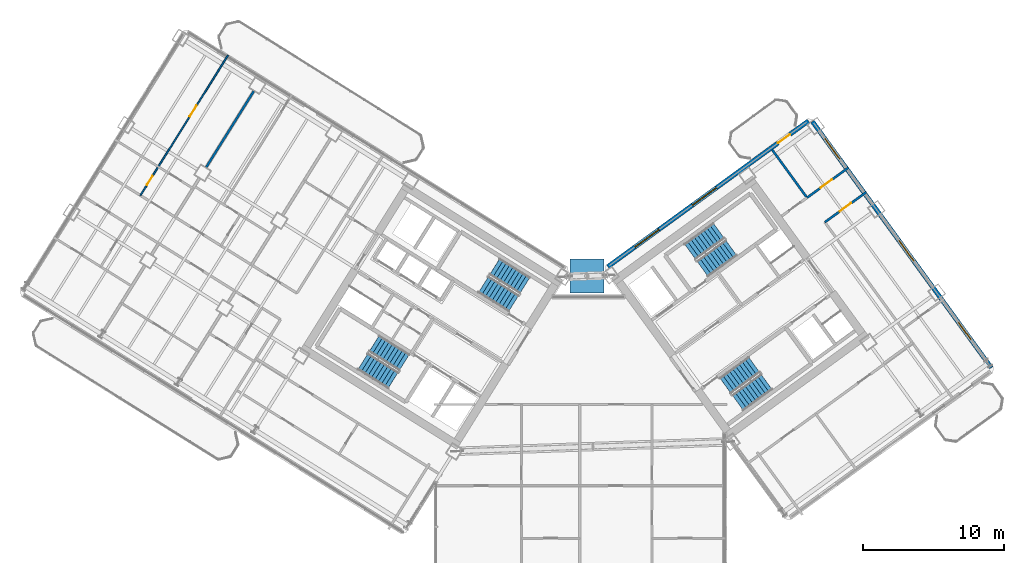
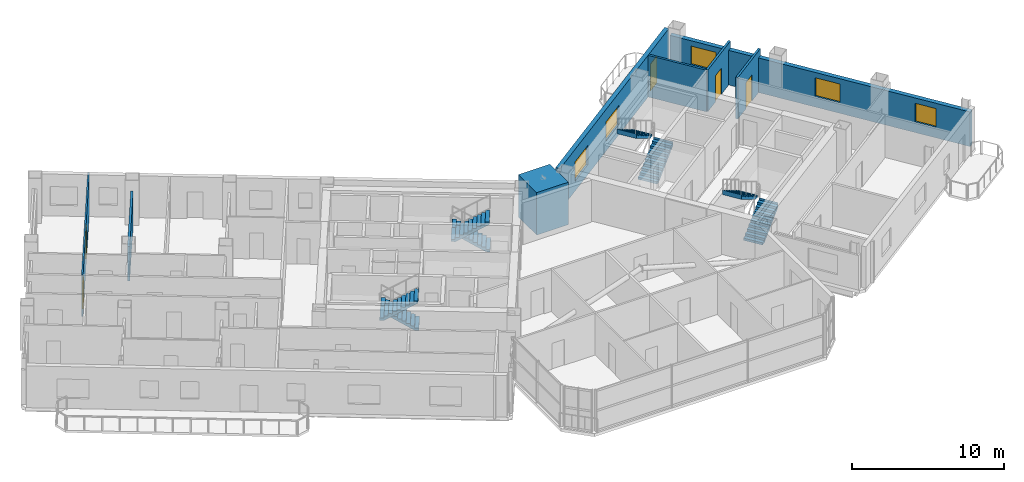
# One storey, part 21 of 29: 8 stair flights, 7 walls, 5 doors, 5 windows, 1 discrete accessory, 10 openings, 4 elements without a shape of their own.
"""IFC4 building model written with IfcOpenShell, lengths in metres."""

from ifc_helpers import new_model, si_unit, direction, frame, frame_2d, origin, origin_2d, place, context, subcontext, project, spatial, polyline, rectangle, outline, extrude, source, transform, mapped, material, layer, layer_set, type_object, element, fill, aggregate, save


model = new_model("IFC4")

# Units and contexts
model_context = context("Model", 3, precision=1e-05, world=origin(), true_north=direction((0.0, 1.0)))
body_context = subcontext(model_context, "Body", "Model", "MODEL_VIEW")
ifc_project = project(units=[si_unit("LENGTHUNIT", "METRE"), si_unit("AREAUNIT", "SQUARE_METRE"), si_unit("VOLUMEUNIT", "CUBIC_METRE"), si_unit("PLANEANGLEUNIT", "RADIAN"), si_unit("MASSUNIT", "GRAM", prefix="KILO")], contexts=[model_context])

# Site, building, storey
site_placement = place(None, origin())
site = spatial("IfcSite", under=ifc_project, at=site_placement, CompositionType="ELEMENT")
building_placement = place(site_placement, origin())
building = spatial("IfcBuilding", under=site, at=building_placement, Name="Tlacorven Tower", CompositionType="ELEMENT")
storey_placement = place(building_placement, frame((0.0, 0.0, 151.5)))
storey = spatial("IfcBuildingStorey", under=building, at=storey_placement, Name="L38", CompositionType="ELEMENT", Elevation=151.5)

# Walls
ifc_material_1 = material(Name="Gypsum plasterboard acoustic partition", Category="gypsum")
ifc_layer_1 = layer(ifc_material_1, 0.159912109375)
ifc_layer_set_1 = layer_set([ifc_layer_1], Name="Gypsum plasterboard acoustic partition")
wall_type_1 = type_object("IfcWallType", Name="WL-DEM-160", PredefinedType="PARTITIONING", material=ifc_layer_set_1)
wall_1_placement = place(storey_placement, frame((18.828125, 37.642578125, 0.0), z_axis=(0.0, 0.0, 1.0), x_axis=(-0.529930102756, -0.848041323399, 0.0)))
element("IfcWall", 1, at=wall_1_placement, inside=storey, type_object=wall_type_1, Name="L38 WS Demising Wall 2", PredefinedType="PARTITIONING", context=body_context, shape_type="SweptSolid", body=[
    extrude(rectangle(XDim=6.376220703125, YDim=0.159912109375, at=frame_2d((3.18798828125, 0.0))), origin(), (0.0, 0.0, 1.0), 2.77490234375),
])
wall_2_placement = place(storey_placement, frame((58.06689453125, 30.080078125, 0.0), z_axis=(0.0, 0.0, 1.0), x_axis=(-0.587812175236, 0.808997433027, 0.0)))
element("IfcWall", 2, at=wall_2_placement, inside=storey, type_object=wall_type_1, Name="L38 partition 89", PredefinedType="PARTITIONING", context=body_context, shape_type="SweptSolid", body=[
    extrude(rectangle(XDim=4.199951171875, YDim=0.159912109375, at=frame_2d((2.10009765625, 0.0))), origin(), (0.0, 0.0, 1.0), 3.340087890625),
])

# Wall, opening, door
wall_3_placement = place(storey_placement, frame((59.33056640625, 28.340576171875, 0.0), z_axis=(0.0, 0.0, 1.0), x_axis=(0.809003564202, 0.587803736896, 0.0)))
wall_3 = element("IfcWall", 3, at=wall_3_placement, inside=storey, type_object=wall_type_1, Name="L38 partition 91", PredefinedType="PARTITIONING", context=body_context, shape_type="SweptSolid", body=[
    extrude(rectangle(XDim=3.630126953125, YDim=0.159912109375, at=frame_2d((1.81494140625, 0.0))), origin(), (0.0, 0.0, 1.0), 3.340087890625),
])
opening_1_placement = place(wall_3_placement, frame((1.304931640625, 0.0, 0.0)))
opening_1 = element("IfcOpeningElement", 4, at=opening_1_placement, cuts=wall_3, Name="Opening D11", PredefinedType="OPENING", context=body_context, shape_type="SweptSolid", body=[
    extrude(rectangle(XDim=1.0, YDim=2.10009765625, at=frame_2d((0.5, 1.050048828125))), frame((0.0, 0.08984375, 0.0), z_axis=(0.0, -1.0, 0.0), x_axis=(1.0, 0.0, 0.0)), (0.0, 0.0, 1.0), 0.179931640625),
])
ifc_material_2 = material(Name="Fire-rated steel door assembly", Category="steel")
door_type_1 = type_object("IfcDoorType", Name="DR-FLT-FD60-1000", OperationType="NOTDEFINED", PredefinedType="DOOR", material=ifc_material_2)
shared_shape_1 = source(origin(), body_context, "Body", "SweptSolid", [
    extrude(rectangle(XDim=1.0, YDim=2.10009765625, at=frame_2d((0.5, 1.050048828125))), frame((0.0, 0.02490234375, 0.0), z_axis=(0.0, -1.0, 0.0), x_axis=(1.0, 0.0, 0.0)), (0.0, 0.0, 1.0), 0.050048828125),
])
door_1_placement = place(opening_1_placement, origin())
door_1 = element("IfcDoor", 5, at=door_1_placement, inside=storey, type_object=door_type_1, Name="L38 door 061", OperationType="SINGLE_SWING_RIGHT", OverallHeight=2.10009765625, OverallWidth=1.0, PredefinedType="DOOR", context=body_context, shape_type="MappedRepresentation", body=[
    mapped(shared_shape_1, transform((0.0, 0.0, 0.0), scale=1.0)),
])
fill(opening_1, door_1)

wall_4_placement = place(storey_placement, frame((58.06689453125, 30.080078125, 0.0), z_axis=(0.0, 0.0, 1.0), x_axis=(0.809012309495, 0.587791700422, 0.0)))
wall_4 = element("IfcWall", 6, at=wall_4_placement, inside=storey, type_object=wall_type_1, Name="L38 partition 92", PredefinedType="PARTITIONING", context=body_context, shape_type="SweptSolid", body=[
    extrude(rectangle(XDim=3.6298828125, YDim=0.159912109375, at=frame_2d((1.81494140625, 0.0))), origin(), (0.0, 0.0, 1.0), 3.340087890625),
])
opening_2_placement = place(wall_4_placement, frame((1.199951171875, 0.0, 0.0)))
opening_2 = element("IfcOpeningElement", 7, at=opening_2_placement, cuts=wall_4, Name="Opening D11", PredefinedType="OPENING", context=body_context, shape_type="SweptSolid", body=[
    extrude(rectangle(XDim=1.0, YDim=2.10009765625, at=frame_2d((0.5, 1.050048828125))), frame((0.0, 0.08984375, 0.0), z_axis=(0.0, -1.0, 0.0), x_axis=(1.0, 0.0, 0.0)), (0.0, 0.0, 1.0), 0.179931640625),
])
door_2_placement = place(opening_2_placement, origin())
door_2 = element("IfcDoor", 8, at=door_2_placement, inside=storey, type_object=door_type_1, Name="L38 door 060", OperationType="SINGLE_SWING_LEFT", OverallHeight=2.10009765625, OverallWidth=1.0, PredefinedType="DOOR", context=body_context, shape_type="MappedRepresentation", body=[
    mapped(shared_shape_1, transform((0.0, 0.0, 0.0), scale=1.0)),
])
fill(opening_2, door_2)

# Wall, openings, door, windows
ifc_material_3 = material(Name="Precast concrete C45/55", Category="concrete")
ifc_layer_2 = layer(ifc_material_3, 0.320068359375)
ifc_layer_set_2 = layer_set([ifc_layer_2], Name="Precast concrete C45/55")
wall_type_2 = type_object("IfcWallType", Name="WL-EXT-320", PredefinedType="STANDARD", material=ifc_layer_set_2)
wall_5_placement = place(storey_placement, frame((43.93798828125, 25.191650390625, 0.0), z_axis=(0.0, 0.0, 1.0), x_axis=(0.809016324578, 0.587786174187, 0.0)))
wall_5 = element("IfcWall", 9, at=wall_5_placement, inside=storey, type_object=wall_type_2, Name="L38 Masonry-Frame Recessed Facade Wall 5", PredefinedType="STANDARD", context=body_context, shape_type="SweptSolid", body=[
    extrude(rectangle(XDim=17.58740234375, YDim=0.320068359375, at=frame_2d((8.793701171875, 0.0))), origin(), (0.0, 0.0, 1.0), 3.35009765625),
])
opening_3_placement = place(wall_5_placement, frame((14.913818359375, 0.0, 0.0)))
opening_3 = element("IfcOpeningElement", 10, at=opening_3_placement, cuts=wall_5, Name="Opening D06", PredefinedType="OPENING", context=body_context, shape_type="SweptSolid", body=[
    extrude(rectangle(XDim=1.050048828125, YDim=2.14990234375, at=frame_2d((0.52490234375, 1.074951171875))), frame((0.0, 0.169921875, 0.0), z_axis=(0.0, -1.0, 0.0), x_axis=(1.0, 0.0, 0.0)), (0.0, 0.0, 1.0), 0.340087890625),
])
opening_4_placement = place(wall_5_placement, frame((2.368408203125, 0.0, 0.800048828125)))
opening_4 = element("IfcOpeningElement", 11, at=opening_4_placement, cuts=wall_5, Name="Opening WN04", PredefinedType="OPENING", context=body_context, shape_type="SweptSolid", body=[
    extrude(rectangle(XDim=2.10009765625, YDim=1.550048828125, at=frame_2d((1.050048828125, 0.77490234375))), frame((0.0, 0.169921875, 0.0), z_axis=(0.0, -1.0, 0.0), x_axis=(1.0, 0.0, 0.0)), (0.0, 0.0, 1.0), 0.340087890625),
])
opening_5_placement = place(wall_5_placement, frame((7.418701171875, 0.0, 0.800048828125)))
opening_5 = element("IfcOpeningElement", 12, at=opening_5_placement, cuts=wall_5, Name="Opening WN04", PredefinedType="OPENING", context=body_context, shape_type="SweptSolid", body=[
    extrude(rectangle(XDim=2.10009765625, YDim=1.550048828125, at=frame_2d((1.050048828125, 0.77490234375))), frame((0.0, 0.169921875, 0.0), z_axis=(0.0, -1.0, 0.0), x_axis=(1.0, 0.0, 0.0)), (0.0, 0.0, 1.0), 0.340087890625),
])
ifc_material_4 = material(Name="Powder-coated aluminium and timber door", Category="wood")
door_type_2 = type_object("IfcDoorType", Name="DR-EXT-BALC-1050", OperationType="NOTDEFINED", PredefinedType="DOOR", material=ifc_material_4)
shared_shape_2 = source(origin(), body_context, "Body", "SweptSolid", [
    extrude(rectangle(XDim=1.050048828125, YDim=2.14990234375, at=frame_2d((0.52490234375, 1.074951171875))), frame((0.0, 0.02490234375, 0.0), z_axis=(0.0, -1.0, 0.0), x_axis=(1.0, 0.0, 0.0)), (0.0, 0.0, 1.0), 0.050048828125),
])
door_3_placement = place(opening_3_placement, origin())
door_3 = element("IfcDoor", 13, at=door_3_placement, inside=storey, type_object=door_type_2, Name="L38 Outdoor Access Door BAL-L38-E-IN", OperationType="SINGLE_SWING_RIGHT", OverallHeight=2.14990234375, OverallWidth=1.050048828125, PredefinedType="DOOR", context=body_context, shape_type="MappedRepresentation", body=[
    mapped(shared_shape_2, transform((0.0, 0.0, 0.0), scale=1.0)),
])
fill(opening_3, door_3)
ifc_material_5 = material(Name="Dark solar low-E double glazing in anodised aluminium frame", Category="aluminium")
window_type_1 = type_object("IfcWindowType", Name="WN-APT-2100X1750", PartitioningType="SINGLE_PANEL", PredefinedType="WINDOW", material=ifc_material_5)
shared_shape_3 = source(origin(), body_context, "Body", "SweptSolid", [
    extrude(rectangle(XDim=2.10009765625, YDim=1.550048828125, at=frame_2d((1.050048828125, 0.77490234375))), frame((0.0, 0.030029296875, 0.0), z_axis=(0.0, -1.0, 0.0), x_axis=(1.0, 0.0, 0.0)), (0.0, 0.0, 1.0), 0.06005859375),
])
window_1_placement = place(opening_4_placement, origin())
window_1 = element("IfcWindow", 14, at=window_1_placement, inside=storey, type_object=window_type_1, Name="L38 Recessed Masonry-Frame Window L38-05.1", OverallHeight=1.550048828125, OverallWidth=2.10009765625, PartitioningType="SINGLE_PANEL", PredefinedType="WINDOW", context=body_context, shape_type="MappedRepresentation", body=[
    mapped(shared_shape_3, transform((0.0, 0.0, 0.0), scale=1.0)),
])
fill(opening_4, window_1)
window_2_placement = place(opening_5_placement, origin())
window_2 = element("IfcWindow", 15, at=window_2_placement, inside=storey, type_object=window_type_1, Name="L38 Recessed Masonry-Frame Window L38-05.2", OverallHeight=1.550048828125, OverallWidth=2.10009765625, PartitioningType="SINGLE_PANEL", PredefinedType="WINDOW", context=body_context, shape_type="MappedRepresentation", body=[
    mapped(shared_shape_3, transform((0.0, 0.0, 0.0), scale=1.0)),
])
fill(opening_5, window_2)

# Wall, openings, windows
wall_6_placement = place(storey_placement, frame((58.45458984375, 35.483642578125, 0.0), z_axis=(0.0, 0.0, 1.0), x_axis=(0.587783625747, -0.809018176127, 0.0)))
wall_6 = element("IfcWall", 16, at=wall_6_placement, inside=storey, type_object=wall_type_2, Name="L38 Masonry-Frame Recessed Facade Wall 6", PredefinedType="STANDARD", context=body_context, shape_type="SweptSolid", body=[
    extrude(rectangle(XDim=21.58740234375, YDim=0.320068359375, at=frame_2d((10.793701171875, 0.0))), origin(), (0.0, 0.0, 1.0), 2.77490234375),
])
opening_6_placement = place(wall_6_placement, frame((1.503662109375, 0.0, 0.85009765625)))
opening_6 = element("IfcOpeningElement", 17, at=opening_6_placement, cuts=wall_6, Name="Opening WN01", PredefinedType="OPENING", context=body_context, shape_type="SweptSolid", body=[
    extrude(rectangle(XDim=1.800048828125, YDim=1.5, at=frame_2d((0.89990234375, 0.75))), frame((0.0, 0.169921875, 0.0), z_axis=(0.0, -1.0, 0.0), x_axis=(1.0, 0.0, 0.0)), (0.0, 0.0, 1.0), 0.340087890625),
])
opening_7_placement = place(wall_6_placement, frame((10.443603515625, 0.0, 0.85009765625)))
opening_7 = element("IfcOpeningElement", 18, at=opening_7_placement, cuts=wall_6, Name="Opening WN01", PredefinedType="OPENING", context=body_context, shape_type="SweptSolid", body=[
    extrude(rectangle(XDim=1.800048828125, YDim=1.5, at=frame_2d((0.89990234375, 0.75))), frame((0.0, 0.169921875, 0.0), z_axis=(0.0, -1.0, 0.0), x_axis=(1.0, 0.0, 0.0)), (0.0, 0.0, 1.0), 0.340087890625),
])
opening_8_placement = place(wall_6_placement, frame((17.61962890625, 0.0, 0.85009765625)))
opening_8 = element("IfcOpeningElement", 19, at=opening_8_placement, cuts=wall_6, Name="Opening WN02", PredefinedType="OPENING", context=body_context, shape_type="SweptSolid", body=[
    extrude(rectangle(XDim=1.5, YDim=1.5, at=frame_2d((0.75, 0.75))), frame((0.0, 0.169921875, 0.0), z_axis=(0.0, -1.0, 0.0), x_axis=(1.0, 0.0, 0.0)), (0.0, 0.0, 1.0), 0.340087890625),
])
window_type_2 = type_object("IfcWindowType", Name="WN-APT-1800X1650", PartitioningType="SINGLE_PANEL", PredefinedType="WINDOW", material=ifc_material_5)
shared_shape_4 = source(origin(), body_context, "Body", "SweptSolid", [
    extrude(rectangle(XDim=1.800048828125, YDim=1.5, at=frame_2d((0.89990234375, 0.75))), frame((0.0, 0.030029296875, 0.0), z_axis=(0.0, -1.0, 0.0), x_axis=(1.0, 0.0, 0.0)), (0.0, 0.0, 1.0), 0.06005859375),
])
window_3_placement = place(opening_6_placement, origin())
window_3 = element("IfcWindow", 20, at=window_3_placement, inside=storey, type_object=window_type_2, Name="L38 Recessed Masonry-Frame Window L38-06.1", OverallHeight=1.5, OverallWidth=1.800048828125, PartitioningType="SINGLE_PANEL", PredefinedType="WINDOW", context=body_context, shape_type="MappedRepresentation", body=[
    mapped(shared_shape_4, transform((0.0, 0.0, 0.0), scale=1.0)),
])
fill(opening_6, window_3)
window_4_placement = place(opening_7_placement, origin())
window_4 = element("IfcWindow", 21, at=window_4_placement, inside=storey, type_object=window_type_2, Name="L38 Recessed Masonry-Frame Window L38-06.2", OverallHeight=1.5, OverallWidth=1.800048828125, PartitioningType="SINGLE_PANEL", PredefinedType="WINDOW", context=body_context, shape_type="MappedRepresentation", body=[
    mapped(shared_shape_4, transform((0.0, 0.0, 0.0), scale=1.0)),
])
fill(opening_7, window_4)
window_type_3 = type_object("IfcWindowType", Name="WN-APT-1500X1650", PartitioningType="SINGLE_PANEL", PredefinedType="WINDOW", material=ifc_material_5)
shared_shape_5 = source(origin(), body_context, "Body", "SweptSolid", [
    extrude(rectangle(XDim=1.5, YDim=1.5, at=frame_2d((0.75, 0.75))), frame((0.0, 0.030029296875, 0.0), z_axis=(0.0, -1.0, 0.0), x_axis=(1.0, 0.0, 0.0)), (0.0, 0.0, 1.0), 0.06005859375),
])
window_5_placement = place(opening_8_placement, origin())
window_5 = element("IfcWindow", 22, at=window_5_placement, inside=storey, type_object=window_type_3, Name="L38 Recessed Masonry-Frame Window L38-06.3", OverallHeight=1.5, OverallWidth=1.5, PartitioningType="SINGLE_PANEL", PredefinedType="WINDOW", context=body_context, shape_type="MappedRepresentation", body=[
    mapped(shared_shape_5, transform((0.0, 0.0, 0.0), scale=1.0)),
])
fill(opening_8, window_5)

# Wall, openings, doors
ifc_material_6 = material(Name="Gypsum plasterboard partition", Category="gypsum")
ifc_layer_3 = layer(ifc_material_6, 0.110107421875)
ifc_layer_set_3 = layer_set([ifc_layer_3], Name="Gypsum plasterboard partition")
wall_type_3 = type_object("IfcWallType", Name="WL-INT-110", PredefinedType="PARTITIONING", material=ifc_layer_set_3)
wall_7_placement = place(storey_placement, frame((16.9951171875, 40.181640625, 0.0), z_axis=(0.0, 0.0, 1.0), x_axis=(-0.529927783988, -0.848042772363, 0.0)))
wall_7 = element("IfcWall", 23, at=wall_7_placement, inside=storey, type_object=wall_type_3, Name="L38 partition 65", PredefinedType="PARTITIONING", context=body_context, shape_type="SweptSolid", body=[
    extrude(rectangle(XDim=11.719970703125, YDim=0.110107421875, at=frame_2d((5.85986328125, 0.0))), origin(), (0.0, 0.0, 1.0), 3.340087890625),
])
opening_9_placement = place(wall_7_placement, frame((10.080078125, 0.0, 0.0)))
opening_9 = element("IfcOpeningElement", 24, at=opening_9_placement, cuts=wall_7, Name="Opening D22", PredefinedType="OPENING", context=body_context, shape_type="SweptSolid", body=[
    extrude(rectangle(XDim=0.780029296875, YDim=2.050048828125, at=frame_2d((0.39013671875, 1.02490234375))), frame((0.0, 0.06494140625, 0.0), z_axis=(0.0, -1.0, 0.0), x_axis=(1.0, 0.0, 0.0)), (0.0, 0.0, 1.0), 0.130126953125),
])
opening_10_placement = place(wall_7_placement, frame((4.199951171875, 0.0, 0.0)))
opening_10 = element("IfcOpeningElement", 25, at=opening_10_placement, cuts=wall_7, Name="Opening D12", PredefinedType="OPENING", context=body_context, shape_type="SweptSolid", body=[
    extrude(rectangle(XDim=0.919921875, YDim=2.080078125, at=frame_2d((0.4599609375, 1.0400390625))), frame((0.0, 0.06494140625, 0.0), z_axis=(0.0, -1.0, 0.0), x_axis=(1.0, 0.0, 0.0)), (0.0, 0.0, 1.0), 0.130126953125),
])
door_type_3 = type_object("IfcDoorType", Name="DR-INT-WET-0780", OperationType="NOTDEFINED", PredefinedType="DOOR", material=ifc_material_4)
shared_shape_6 = source(origin(), body_context, "Body", "SweptSolid", [
    extrude(rectangle(XDim=0.780029296875, YDim=2.050048828125, at=frame_2d((0.39013671875, 1.02490234375))), frame((0.0, 0.02490234375, 0.0), z_axis=(0.0, -1.0, 0.0), x_axis=(1.0, 0.0, 0.0)), (0.0, 0.0, 1.0), 0.050048828125),
])
door_4_placement = place(opening_9_placement, origin())
door_4 = element("IfcDoor", 26, at=door_4_placement, inside=storey, type_object=door_type_3, Name="L38 door 041", OperationType="SINGLE_SWING_RIGHT", OverallHeight=2.050048828125, OverallWidth=0.780029296875, PredefinedType="DOOR", context=body_context, shape_type="MappedRepresentation", body=[
    mapped(shared_shape_6, transform((0.0, 0.0, 0.0), scale=1.0)),
])
fill(opening_9, door_4)
door_type_4 = type_object("IfcDoorType", Name="DR-INT-ROOM-0920", OperationType="NOTDEFINED", PredefinedType="DOOR", material=ifc_material_4)
shared_shape_7 = source(origin(), body_context, "Body", "SweptSolid", [
    extrude(rectangle(XDim=0.919921875, YDim=2.080078125, at=frame_2d((0.4599609375, 1.0400390625))), frame((0.0, 0.02490234375, 0.0), z_axis=(0.0, -1.0, 0.0), x_axis=(1.0, 0.0, 0.0)), (0.0, 0.0, 1.0), 0.050048828125),
])
door_5_placement = place(opening_10_placement, origin())
door_5 = element("IfcDoor", 27, at=door_5_placement, inside=storey, type_object=door_type_4, Name="L38 door 042", OperationType="SINGLE_SWING_LEFT", OverallHeight=2.080078125, OverallWidth=0.919921875, PredefinedType="DOOR", context=body_context, shape_type="MappedRepresentation", body=[
    mapped(shared_shape_7, transform((0.0, 0.0, 0.0), scale=1.0)),
])
fill(opening_10, door_5)

# Stair, stair flights
ifc_material_7 = material(Name="Concrete C40/50", Category="concrete")
stair_type = type_object("IfcStairType", Name="ST-CORE-DLG", PredefinedType="HALF_TURN_STAIR", material=ifc_material_7)
stair_1_placement = place(storey_placement, origin())
stair_1 = element("IfcStair", 28, at=stair_1_placement, inside=storey, type_object=stair_type, Name="L38 Protected Exit Stair West 1", PredefinedType="HALF_TURN_STAIR")
stair_flight_type = type_object("IfcStairFlightType", Name="SFL-RC-1380", PredefinedType="STRAIGHT", material=ifc_material_7)
shared_shape_8 = source(origin(), body_context, "Body", "SweptSolid", [
    extrude(outline(polyline([(-0.0029296875, -0.0029296875), (-0.0029296875, 0.179931640625), (0.280029296875, 0.179931640625), (0.280029296875, 0.360107421875), (0.56005859375, 0.360107421875), (0.56005859375, 0.5400390625), (0.840087890625, 0.5400390625), (0.840087890625, 0.719970703125), (1.1201171875, 0.719970703125), (1.1201171875, 0.89990234375), (1.39990234375, 0.89990234375), (1.39990234375, 1.080078125), (1.679931640625, 1.080078125), (1.679931640625, 1.260009765625), (1.9599609375, 1.260009765625), (1.9599609375, 1.43994140625), (2.239990234375, 1.43994140625), (2.239990234375, 1.6201171875), (2.52001953125, 1.6201171875), (2.52001953125, 1.800048828125), (2.52294921875, 1.800048828125), (2.52294921875, 1.429931640625), (2.52001953125, 1.429931640625), (0.295654296875, 0.0), (0.295654296875, -0.0029296875), (-0.0029296875, -0.0029296875)])), frame((0.0, 0.68994140625, 0.0), z_axis=(0.0, -1.0, 0.0), x_axis=(1.0, 0.0, 0.0)), (0.0, 0.0, 1.0), 1.3798828125),
])
stair_flight_1_placement = place(storey_placement, frame((29.499755859375, 18.39453125, 0.0), z_axis=(0.0, 0.0, 1.0), x_axis=(-0.848048096156, 0.529919264233, 0.0)))
stair_flight_1 = element("IfcStairFlight", 29, at=stair_flight_1_placement, type_object=stair_flight_type, Name="ST-W1 flight 1", NumberOfRisers=10, NumberOfTreads=9, PredefinedType="STRAIGHT", RiserHeight=0.18, TreadLength=0.28, context=body_context, shape_type="MappedRepresentation", body=[
    mapped(shared_shape_8, transform((0.0, 0.0, 0.0), scale=1.0)),
])
stair_flight_2_placement = place(storey_placement, frame((26.56787109375, 18.4580078125, 1.800048828125), z_axis=(0.0, 0.0, 1.0), x_axis=(0.848048096156, -0.529919264233, 0.0)))
stair_flight_2 = element("IfcStairFlight", 30, at=stair_flight_2_placement, type_object=stair_flight_type, Name="ST-W1 flight 2", NumberOfRisers=10, NumberOfTreads=9, PredefinedType="STRAIGHT", RiserHeight=0.18, TreadLength=0.28, context=body_context, shape_type="MappedRepresentation", body=[
    mapped(shared_shape_8, transform((0.0, 0.0, 0.0), scale=1.0)),
])
aggregate(stair_1, [stair_flight_1, stair_flight_2])

stair_2_placement = place(storey_placement, origin())
stair_2 = element("IfcStair", 31, at=stair_2_placement, inside=storey, type_object=stair_type, Name="L38 Protected Exit Stair West 2", PredefinedType="HALF_TURN_STAIR")
stair_flight_3_placement = place(storey_placement, frame((38.051513671875, 23.852294921875, 0.0), z_axis=(0.0, 0.0, 1.0), x_axis=(-0.848048096156, 0.529919264233, 0.0)))
stair_flight_3 = element("IfcStairFlight", 32, at=stair_flight_3_placement, type_object=stair_flight_type, Name="ST-W2 flight 1", NumberOfRisers=10, NumberOfTreads=9, PredefinedType="STRAIGHT", RiserHeight=0.18, TreadLength=0.28, context=body_context, shape_type="MappedRepresentation", body=[
    mapped(shared_shape_8, transform((0.0, 0.0, 0.0), scale=1.0)),
])
stair_flight_4_placement = place(storey_placement, frame((35.119384765625, 23.91552734375, 1.800048828125), z_axis=(0.0, 0.0, 1.0), x_axis=(0.848048096156, -0.529919264233, 0.0)))
stair_flight_4 = element("IfcStairFlight", 33, at=stair_flight_4_placement, type_object=stair_flight_type, Name="ST-W2 flight 2", NumberOfRisers=10, NumberOfTreads=9, PredefinedType="STRAIGHT", RiserHeight=0.18, TreadLength=0.28, context=body_context, shape_type="MappedRepresentation", body=[
    mapped(shared_shape_8, transform((0.0, 0.0, 0.0), scale=1.0)),
])
aggregate(stair_2, [stair_flight_3, stair_flight_4])

stair_3_placement = place(storey_placement, origin())
stair_3 = element("IfcStair", 34, at=stair_3_placement, inside=storey, type_object=stair_type, Name="L38 Protected Exit Stair East 1", PredefinedType="HALF_TURN_STAIR")
stair_flight_5_placement = place(storey_placement, frame((50.6533203125, 25.0400390625, 0.0), z_axis=(0.0, 0.0, 1.0), x_axis=(0.809016994375, 0.587785252292, 0.0)))
stair_flight_5 = element("IfcStairFlight", 35, at=stair_flight_5_placement, type_object=stair_flight_type, Name="ST-E1 flight 1", NumberOfRisers=10, NumberOfTreads=9, PredefinedType="STRAIGHT", RiserHeight=0.18, TreadLength=0.28, context=body_context, shape_type="MappedRepresentation", body=[
    mapped(shared_shape_8, transform((0.0, 0.0, 0.0), scale=1.0)),
])
stair_flight_6_placement = place(storey_placement, frame((51.810546875, 27.734619140625, 1.800048828125), z_axis=(0.0, 0.0, 1.0), x_axis=(-0.809016994375, -0.587785252292, 0.0)))
stair_flight_6 = element("IfcStairFlight", 36, at=stair_flight_6_placement, type_object=stair_flight_type, Name="ST-E1 flight 2", NumberOfRisers=10, NumberOfTreads=9, PredefinedType="STRAIGHT", RiserHeight=0.18, TreadLength=0.28, context=body_context, shape_type="MappedRepresentation", body=[
    mapped(shared_shape_8, transform((0.0, 0.0, 0.0), scale=1.0)),
])
aggregate(stair_3, [stair_flight_5, stair_flight_6])

stair_4_placement = place(storey_placement, origin())
stair_4 = element("IfcStair", 37, at=stair_4_placement, inside=storey, type_object=stair_type, Name="L38 Protected Exit Stair East 2", PredefinedType="HALF_TURN_STAIR")
stair_flight_7_placement = place(storey_placement, frame((53.157470703125, 15.536865234375, 0.0), z_axis=(0.0, 0.0, 1.0), x_axis=(0.809016994375, 0.587785252292, 0.0)))
stair_flight_7 = element("IfcStairFlight", 38, at=stair_flight_7_placement, type_object=stair_flight_type, Name="ST-E2 flight 1", NumberOfRisers=10, NumberOfTreads=9, PredefinedType="STRAIGHT", RiserHeight=0.18, TreadLength=0.28, context=body_context, shape_type="MappedRepresentation", body=[
    mapped(shared_shape_8, transform((0.0, 0.0, 0.0), scale=1.0)),
])
stair_flight_8_placement = place(storey_placement, frame((54.314453125, 18.231689453125, 1.800048828125), z_axis=(0.0, 0.0, 1.0), x_axis=(-0.809016994375, -0.587785252292, 0.0)))
stair_flight_8 = element("IfcStairFlight", 39, at=stair_flight_8_placement, type_object=stair_flight_type, Name="ST-E2 flight 2", NumberOfRisers=10, NumberOfTreads=9, PredefinedType="STRAIGHT", RiserHeight=0.18, TreadLength=0.28, context=body_context, shape_type="MappedRepresentation", body=[
    mapped(shared_shape_8, transform((0.0, 0.0, 0.0), scale=1.0)),
])
aggregate(stair_4, [stair_flight_7, stair_flight_8])

# Discrete accessory
ifc_material_8 = material(Name="Aluminium 6063-T6 anodised", Category="aluminium")
discrete_accessory_type = type_object("IfcDiscreteAccessoryType", Name="ACC-TRB-01", PredefinedType="BRACKET", material=ifc_material_8)
shared_shape_9 = source(origin(), body_context, "Body", "SweptSolid", [
    extrude(rectangle(XDim=2.39990234375, YDim=2.39990234375, at=origin_2d()), origin(), (0.0, 0.0, 1.0), 3.39990234375),
])
discrete_accessory_placement = place(storey_placement, frame((42.453369140625, 24.526611328125, 0.050048828125), z_axis=(0.0, 0.0, 1.0), x_axis=(1.0, 0.0, 0.0)))
element("IfcDiscreteAccessory", 40, at=discrete_accessory_placement, inside=storey, type_object=discrete_accessory_type, Name="L38 Vertical-Axis Venturi Wind Turbine Rotor", PredefinedType="BRACKET", context=body_context, shape_type="MappedRepresentation", body=[
    mapped(shared_shape_9, transform((0.0, 0.0, 0.0), scale=1.0)),
])

save(model, "model.ifc")
